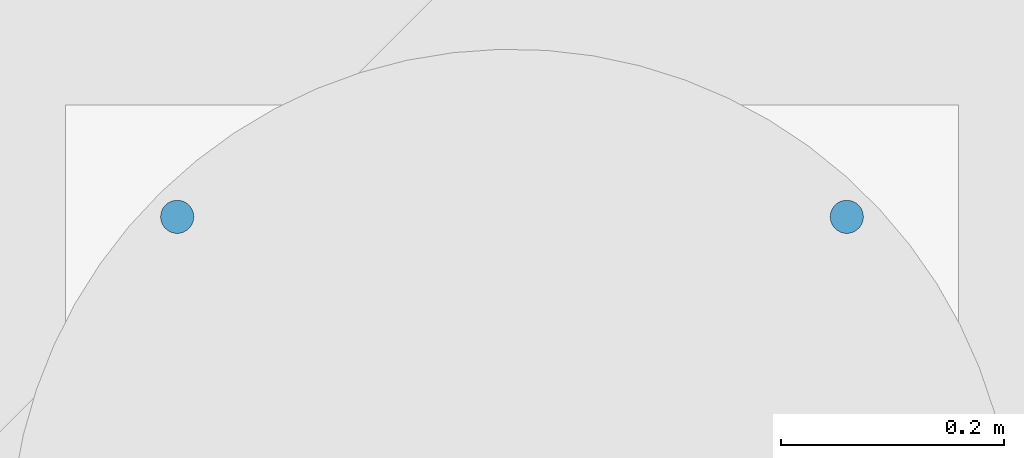
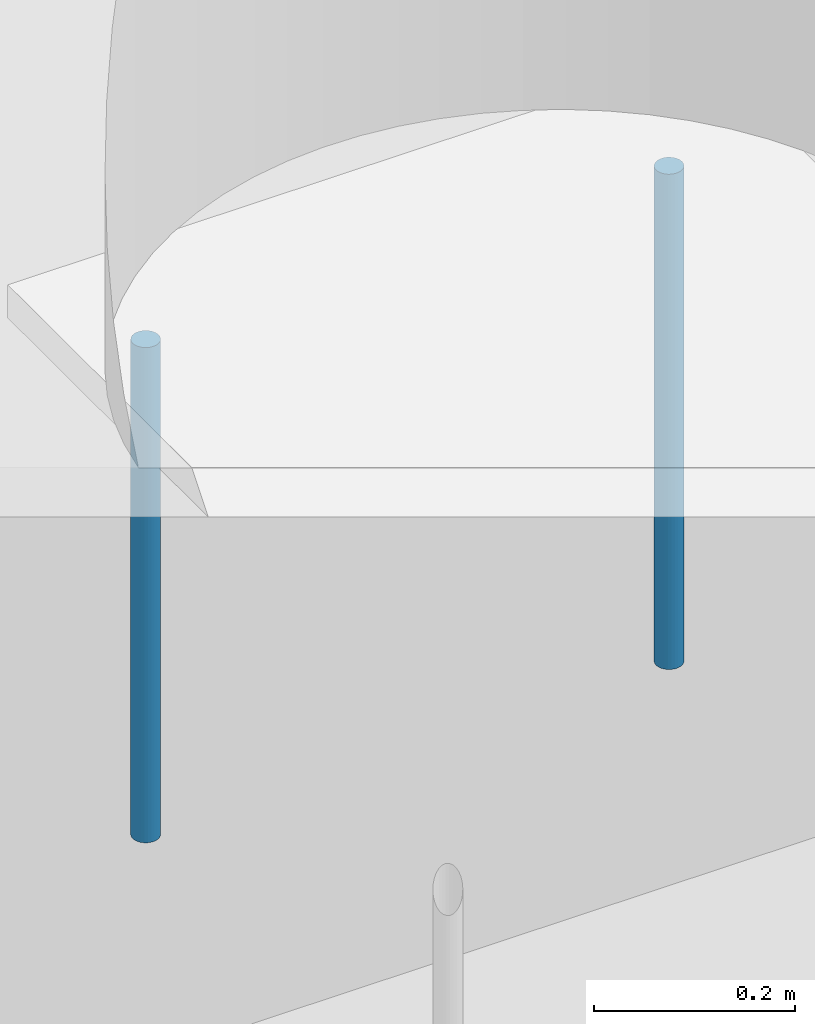
# One storey, part 16 of 28: 2 discrete accessories.
"""IFC4 building model written with IfcOpenShell, lengths in metres."""

from ifc_helpers import new_model, si_unit, direction, frame, origin, origin_2d, place, context, subcontext, project, spatial, circle, extrude, element, save


model = new_model("IFC4")

# Units and contexts
model_context = context("Model", 3, precision=1e-05, world=origin(), true_north=direction((0.0, 1.0)))
body_context = subcontext(model_context, "Body", "Model", "MODEL_VIEW")
ifc_project = project(units=[si_unit("LENGTHUNIT", "METRE"), si_unit("AREAUNIT", "SQUARE_METRE"), si_unit("VOLUMEUNIT", "CUBIC_METRE"), si_unit("PLANEANGLEUNIT", "RADIAN"), si_unit("MASSUNIT", "GRAM", prefix="KILO")], contexts=[model_context])

# Site, building, storey
site_placement = place(None, origin())
site = spatial("IfcSite", under=ifc_project, at=site_placement, CompositionType="ELEMENT")
building_placement = place(site_placement, origin())
building = spatial("IfcBuilding", under=site, at=building_placement, Name="Tabaq Tower and Sports Hall", CompositionType="ELEMENT")
storey_placement = place(building_placement, frame((0.0, 0.0, 233.5)))
storey = spatial("IfcBuildingStorey", under=building, at=storey_placement, Name="L59", CompositionType="ELEMENT", Elevation=233.5)

# Discrete accessories
for number, where, z_axis, x_axis, name in (
    (1, (19.199951171875, 8.39990234375, 1.60009765625), (0.0, 0.0, -1.0), (1.0, 0.0, 0.0), "Wind Turbine 2 Anchor Bolt 3"),
    (2, (18.60009765625, 8.39990234375, 1.60009765625), (0.0, 0.0, -1.0), (1.0, 0.0, 0.0), "Wind Turbine 2 Anchor Bolt 4"),
):
    element("IfcDiscreteAccessory", number, at=place(storey_placement, frame(where, z_axis=z_axis, x_axis=x_axis)), inside=storey, Name=name, PredefinedType="NOTDEFINED", context=body_context, shape_type="SweptSolid", body=[
        extrude(circle(Radius=0.014892578125, at=origin_2d()), origin(), (0.0, 0.0, 1.0), 0.60009765625),
    ])

save(model, "model.ifc")
